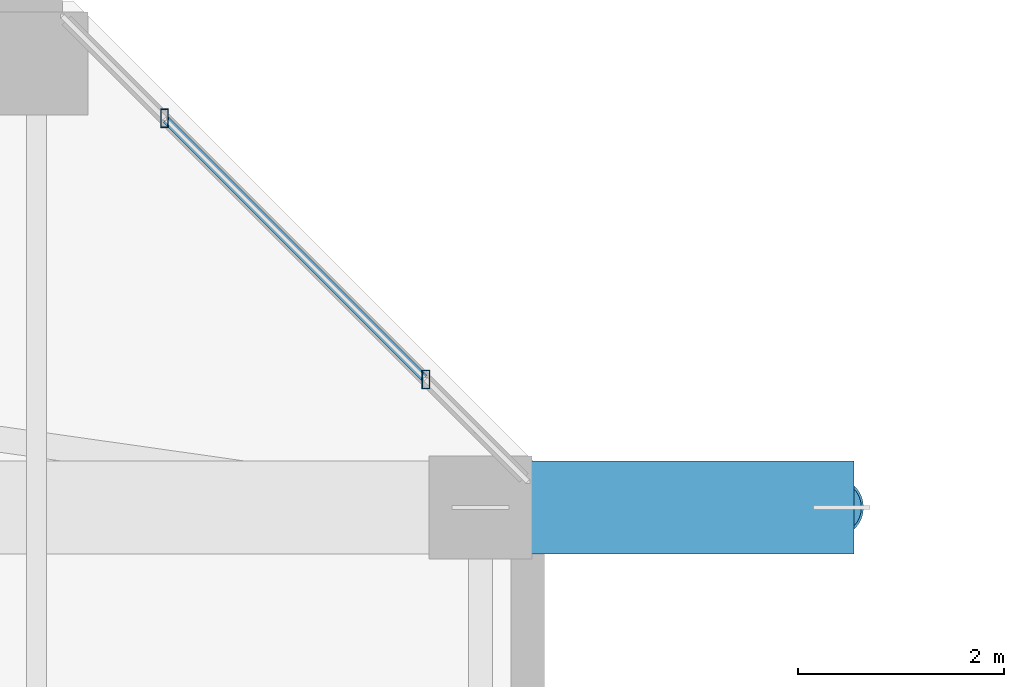
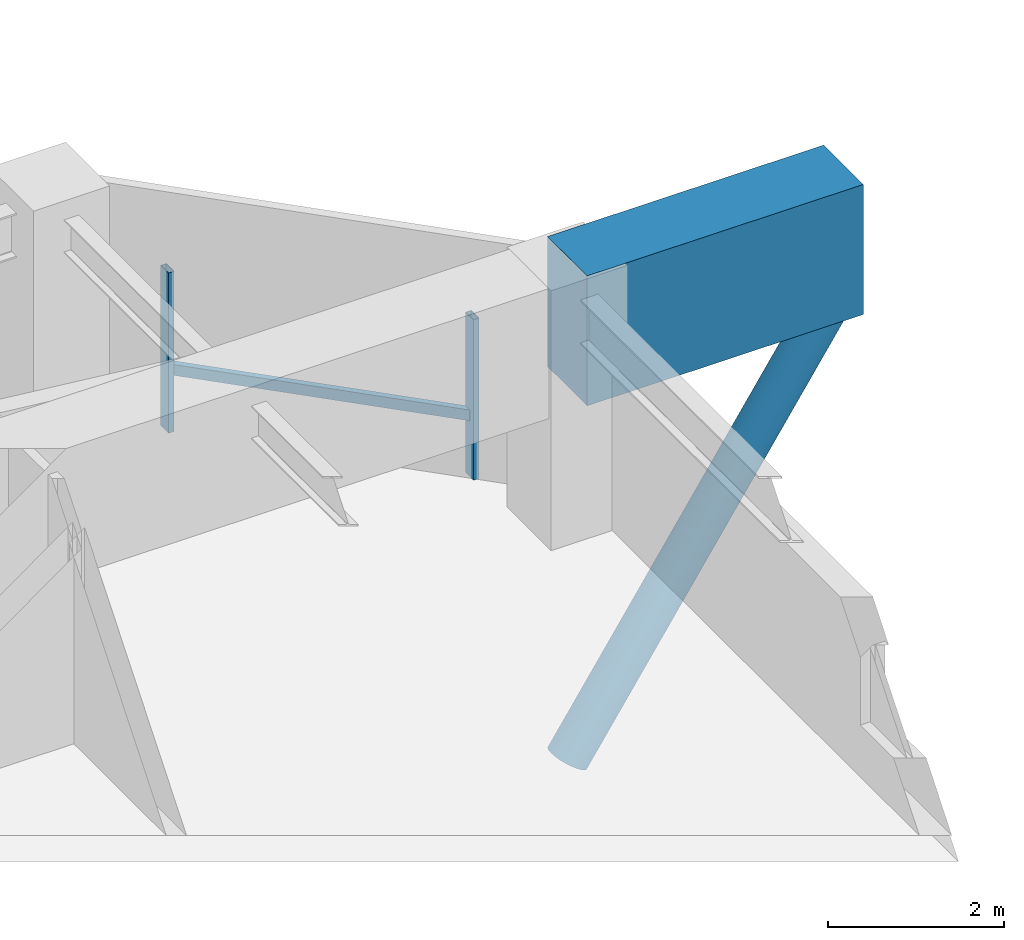
# One storey, part 9 of 34: 4 members, 1 beam, 1 element without a shape of its own.
"""IFC4 building model written with IfcOpenShell, lengths in metres."""

import ifcopenshell
import ifcopenshell.guid

model = None  # the IFC model being written
_history = None  # IfcOwnerHistory: only IFC2X3 demands one
_inside = {}  # id of a spatial element -> (the spatial element, [elements in it])
_under = {}  # id of a project, library or spatial element -> (it, [spatial elements below it])
_declared = {}  # id of a project -> (the project, [libraries it declares])
_typed = {}  # id of a type object -> (the type object, [elements of that type])
_made_of = {}  # id of a material, layer set ... -> (it, [elements and type objects made of it])


def new_model(schema):
    """Start an empty IFC model of exactly this schema.

    Asked for "IFC4X3", IfcOpenShell would pick the latest addendum, in which some entities
    have other attributes; the version numbers below select the first issue.
    IFC2X3 requires an IfcOwnerHistory on every rooted entity: one is made here for all.
    """
    global model, _history
    if schema == "IFC4X3":
        model = ifcopenshell.file(schema_version=(4, 3, 0, 0))
    else:
        model = ifcopenshell.file(schema=schema)
    _inside.clear()
    _under.clear()
    _declared.clear()
    _typed.clear()
    _made_of.clear()
    _history = None
    if model.schema == "IFC2X3":
        org = make("IfcOrganization", Name="unknown")
        user = make(
            "IfcPersonAndOrganization",
            ThePerson=make("IfcPerson", FamilyName="unknown"),
            TheOrganization=org,
        )
        app = make(
            "IfcApplication",
            ApplicationDeveloper=org,
            Version="unknown",
            ApplicationFullName="unknown",
            ApplicationIdentifier="unknown",
        )
        _history = make(
            "IfcOwnerHistory",
            OwningUser=user,
            OwningApplication=app,
            ChangeAction="ADDED",
            CreationDate=0,
        )
    return model


def make(cls, **values):
    """One entity of the class cls with the attributes given. An attribute that is None is left unset."""
    return model.create_entity(
        cls, **{name: value for name, value in values.items() if value is not None}
    )


def rooted(cls, **values):
    """An entity with a GlobalId (a new one), such as an element, a storey or a relation."""
    return make(cls, GlobalId=ifcopenshell.guid.new(), OwnerHistory=_history, **values)


def si_unit(unit_type, name, prefix=None):
    """IfcSIUnit, for example si_unit("LENGTHUNIT", "METRE", prefix="MILLI")."""
    return make("IfcSIUnit", UnitType=unit_type, Prefix=prefix, Name=name)


def assignment(units):
    """IfcUnitAssignment: the units of a project."""
    return None if units is None else make("IfcUnitAssignment", Units=units)


def point(xyz):
    """IfcCartesianPoint."""
    return None if xyz is None else make("IfcCartesianPoint", Coordinates=xyz)


def direction(xyz):
    """IfcDirection."""
    return None if xyz is None else make("IfcDirection", DirectionRatios=xyz)


def frame(location, z_axis=None, x_axis=None):
    """IfcAxis2Placement3D, a coordinate frame: its origin and axes. An axis left out is left unset."""
    return make(
        "IfcAxis2Placement3D",
        Location=point(location),
        Axis=direction(z_axis),
        RefDirection=direction(x_axis),
    )


def frame_2d(location, x_axis=None):
    """IfcAxis2Placement2D, a coordinate frame in the plane: its origin and x axis."""
    return make(
        "IfcAxis2Placement2D", Location=point(location), RefDirection=direction(x_axis)
    )


def origin():
    """The frame at (0, 0, 0) with its axes left unset."""
    return frame((0.0, 0.0, 0.0))


def origin_2d():
    """The frame at (0, 0) in the plane with its x axis left unset."""
    return frame_2d((0.0, 0.0))


def place(relative_to, where):
    """IfcLocalPlacement: puts the frame where relative to a parent placement (None: the world)."""
    return make(
        "IfcLocalPlacement", PlacementRelTo=relative_to, RelativePlacement=where
    )


def context(
    kind, dimensions, precision=None, world=None, true_north=None, identifier=None
):
    """IfcGeometricRepresentationContext, for example the 3D "Model" context."""
    return make(
        "IfcGeometricRepresentationContext",
        ContextIdentifier=identifier,
        ContextType=kind,
        CoordinateSpaceDimension=dimensions,
        Precision=precision,
        WorldCoordinateSystem=world,
        TrueNorth=true_north,
    )


def subcontext(parent, identifier, kind, view, scale=None):
    """IfcGeometricRepresentationSubContext, for example "Body" below "Model"."""
    return make(
        "IfcGeometricRepresentationSubContext",
        ContextIdentifier=identifier,
        ContextType=kind,
        ParentContext=parent,
        TargetScale=scale,
        TargetView=view,
    )


def project(units=None, contexts=None):
    """IfcProject with its units and contexts."""
    return rooted(
        "IfcProject",
        Name="project",
        RepresentationContexts=contexts,
        UnitsInContext=assignment(units),
    )


def spatial(cls, under=None, at=None, **own):
    """A site, building, storey or space (cls), placed at a placement, below another one or the project."""
    s = rooted(cls, ObjectPlacement=at, **own)
    if under is not None:
        _under.setdefault(under.id(), (under, []))[1].append(s)
    return s


def profile(cls, at=None, kind="AREA", **sizes):
    """A parametric profile (cls). Its sizes go by their IFC names, for example OverallWidth=200.0."""
    return make(cls, ProfileType=kind, Position=at, **sizes)


def rectangle(**sizes):
    """IfcRectangleProfileDef."""
    return profile("IfcRectangleProfileDef", **sizes)


def hollow_rectangle(**sizes):
    """IfcRectangleHollowProfileDef."""
    return profile("IfcRectangleHollowProfileDef", **sizes)


def hollow_circle(**sizes):
    """IfcCircleHollowProfileDef."""
    return profile("IfcCircleHollowProfileDef", **sizes)


def extrude(swept, where, along, depth):
    """IfcExtrudedAreaSolid: the profile swept, set in the frame where, extruded along a direction by depth."""
    return make(
        "IfcExtrudedAreaSolid",
        SweptArea=swept,
        Position=where,
        ExtrudedDirection=direction(along),
        Depth=depth,
    )


def shape(context_of_items, identifier, shape_type, items):
    """IfcShapeRepresentation: the items that make up one representation, for example the "Body"."""
    return make(
        "IfcShapeRepresentation",
        ContextOfItems=context_of_items,
        RepresentationIdentifier=identifier,
        RepresentationType=shape_type,
        Items=items,
    )


def material(Name=None, Category=None):
    """IfcMaterial."""
    return make("IfcMaterial", Name=Name, Category=Category)


def material_profile(
    of_material, cross_section, Name=None, Category=None, Priority=None
):
    """IfcMaterialProfile: a cross section and its material."""
    return make(
        "IfcMaterialProfile",
        Name=Name,
        Material=of_material,
        Profile=cross_section,
        Priority=Priority,
        Category=Category,
    )


def profile_set(profiles, Name=None, composite=None):
    """IfcMaterialProfileSet."""
    return make(
        "IfcMaterialProfileSet",
        Name=Name,
        MaterialProfiles=profiles,
        CompositeProfile=composite,
    )


def made_of(thing, what):
    """Note that an element or type object is made of a material, layer set ...; save() writes the relation."""
    if what is not None:
        _made_of.setdefault(what.id(), (what, []))[1].append(thing)
    return thing


def type_object(cls, material=None, **own):
    """A type object (cls), such as IfcWallType, which elements share."""
    return made_of(rooted(cls, **own), material)


def element(
    cls,
    number,
    at=None,
    inside=None,
    cuts=None,
    type_object=None,
    material=None,
    context=None,
    identifier="Body",
    shape_type=None,
    held_by="IfcProductDefinitionShape",
    body=None,
    shapes=None,
    **own,
):
    """One element of the class cls, such as IfcWall. Its Tag is "e" and its number.

    at: its placement. inside: the storey or other place that contains it. cuts: it is an
    opening in that element (IfcRelVoidsElement). A single representation is given by context,
    identifier, shape_type and body (its items); several are given by shapes. held_by: the class
    of the entity that holds the representations. save() writes the other relations.
    """
    e = rooted(cls, Tag="e%d" % number, ObjectPlacement=at, **own)
    if body is not None:
        shapes = [shape(context, identifier, shape_type, body)]
    if shapes is not None:
        e.Representation = make(held_by, Representations=shapes)
    if inside is not None:
        _inside.setdefault(inside.id(), (inside, []))[1].append(e)
    if cuts is not None:
        rooted(
            "IfcRelVoidsElement", RelatingBuildingElement=cuts, RelatedOpeningElement=e
        )
    if type_object is not None:
        _typed.setdefault(type_object.id(), (type_object, []))[1].append(e)
    return made_of(e, material)


def aggregate(whole, parts):
    """IfcRelAggregates: a whole, such as a stair, and the parts it consists of."""
    return rooted("IfcRelAggregates", RelatingObject=whole, RelatedObjects=parts)


def save(model, path):
    """Write the relations noted so far, then the file.

    IfcRelAggregates (storeys below a building ...), IfcRelContainedInSpatialStructure (elements
    in a storey), IfcRelDefinesByType, IfcRelAssociatesMaterial and IfcRelDeclares: one each for
    every whole, place, type object, material and project.
    """
    for whole, parts in _under.values():
        aggregate(whole, parts)
    for where, things in _inside.values():
        rooted(
            "IfcRelContainedInSpatialStructure",
            RelatedElements=things,
            RelatingStructure=where,
        )
    for kind, things in _typed.values():
        rooted("IfcRelDefinesByType", RelatedObjects=things, RelatingType=kind)
    for what, things in _made_of.values():
        rooted("IfcRelAssociatesMaterial", RelatedObjects=things, RelatingMaterial=what)
    for by, libraries in _declared.values():
        rooted("IfcRelDeclares", RelatingContext=by, RelatedDefinitions=libraries)
    model.write(path)


model = new_model("IFC4")

# Units and contexts
model_context = context("Model", 3, precision=1e-05, world=origin(), true_north=direction((0.0, 1.0)))
body_context = subcontext(model_context, "Body", "Model", "MODEL_VIEW")
ifc_project = project(units=[si_unit("LENGTHUNIT", "METRE"), si_unit("AREAUNIT", "SQUARE_METRE"), si_unit("VOLUMEUNIT", "CUBIC_METRE"), si_unit("PLANEANGLEUNIT", "RADIAN"), si_unit("MASSUNIT", "GRAM", prefix="KILO")], contexts=[model_context])

# Site, building, storey
site_placement = place(None, origin())
site = spatial("IfcSite", under=ifc_project, at=site_placement, CompositionType="ELEMENT")
building_placement = place(site_placement, origin())
building = spatial("IfcBuilding", under=site, at=building_placement, Name="Thornwick Lancets Civic Towers", CompositionType="ELEMENT")
storey_placement = place(building_placement, frame((0.0, 0.0, 251.10009765625)))
storey = spatial("IfcBuildingStorey", under=building, at=storey_placement, Name="L67", CompositionType="ELEMENT", Elevation=251.10009765625)

# Beam
ifc_material_1 = material(Name="Concrete C60/75", Category="concrete")
ifc_material_profile_1 = material_profile(ifc_material_1, rectangle(XDim=0.89990234375, YDim=1.800048828125, at=origin_2d()), Name="RC 900x1800")
ifc_profile_set_1 = profile_set([ifc_material_profile_1], Name="Concrete C60/75")
beam_type = type_object("IfcBeamType", Name="BM_TR_RC1800", PredefinedType="BEAM", material=ifc_profile_set_1)
beam_placement = place(storey_placement, frame((42.800048828125, 40.0, 2.699951171875), z_axis=(1.0, 0.0, 0.0), x_axis=(0.0, 1.0, 0.0)))
element("IfcBeam", 1, at=beam_placement, inside=storey, type_object=beam_type, Name="TG-CANT-L68-A06", PredefinedType="BEAM", context=body_context, shape_type="SweptSolid", body=[
    extrude(rectangle(XDim=0.89990234375, YDim=1.800048828125, at=origin_2d()), origin(), (0.0, 0.0, 1.0), 3.619873046875),
])

# Curtain wall, members
ifc_material_2 = material(Name="High-zone chamfered-corner unitised glass curtain wall", Category="glass")
curtain_wall_type = type_object("IfcCurtainWallType", Name="CW_SYS_05", PredefinedType="NOTDEFINED", material=ifc_material_2)
curtain_wall_placement = place(storey_placement, origin())
curtain_wall = element("IfcCurtainWall", 2, at=curtain_wall_placement, inside=storey, type_object=curtain_wall_type, Name="L67 Curtain Wall CW-L67-A-E3", PredefinedType="NOTDEFINED")
ifc_material_3 = material(Name="Thermally broken bronze aluminium S355", Category="steel")
ifc_material_profile_2 = material_profile(ifc_material_3, hollow_rectangle(XDim=0.074951171875, YDim=0.179931640625, WallThickness=0.006103515625, at=origin_2d()), Name="RHS 180x75x6")
ifc_profile_set_2 = profile_set([ifc_material_profile_2], Name="Thermally broken bronze aluminium S355")
member_type_1 = type_object("IfcMemberType", Name="CW_MUL_180", PredefinedType="MULLION", material=ifc_profile_set_2)
member_1_placement = place(storey_placement, frame((42.270751953125, 41.238525390625, 0.0), z_axis=(0.0, 0.0, 1.0), x_axis=(1.0, 0.0, 0.0)))
member_1 = element("IfcMember", 3, at=member_1_placement, type_object=member_type_1, Name="CW-L67-A-E3 Mullion 0", PredefinedType="MULLION", context=body_context, shape_type="SweptSolid", body=[
    extrude(hollow_rectangle(XDim=0.074951171875, YDim=0.179931640625, WallThickness=0.006103515625, at=origin_2d()), origin(), (0.0, 0.0, 1.0), 2.219970703125),
])
member_2_placement = place(storey_placement, frame((39.738525390625, 43.770751953125, 0.0), z_axis=(0.0, 0.0, 1.0), x_axis=(1.0, 0.0, 0.0)))
member_2 = element("IfcMember", 4, at=member_2_placement, type_object=member_type_1, Name="CW-L67-A-E3 Mullion 1", PredefinedType="MULLION", context=body_context, shape_type="SweptSolid", body=[
    extrude(hollow_rectangle(XDim=0.074951171875, YDim=0.179931640625, WallThickness=0.006103515625, at=origin_2d()), origin(), (0.0, 0.0, 1.0), 2.219970703125),
])
ifc_material_profile_3 = material_profile(ifc_material_3, hollow_rectangle(XDim=0.074951171875, YDim=0.14990234375, WallThickness=0.0048828125, at=origin_2d()), Name="RHS 150x75x5")
ifc_profile_set_3 = profile_set([ifc_material_profile_3], Name="Thermally broken bronze aluminium S355")
member_type_2 = type_object("IfcMemberType", Name="CW_TRN_150", PredefinedType="USERDEFINED", material=ifc_profile_set_3)
member_3_placement = place(storey_placement, frame((42.256591796875, 41.252685546875, 0.849853515625), z_axis=(-0.707106781187, 0.707106781187, 0.0), x_axis=(-0.707106781187, -0.707106781187, 0.0)))
member_3 = element("IfcMember", 5, at=member_3_placement, type_object=member_type_2, Name="CW-L67-A-E3 Transom 0", ObjectType="TRANSOM", PredefinedType="USERDEFINED", context=body_context, shape_type="SweptSolid", body=[
    extrude(hollow_rectangle(XDim=0.074951171875, YDim=0.14990234375, WallThickness=0.0048828125, at=origin_2d()), origin(), (0.0, 0.0, 1.0), 3.541015625),
])
aggregate(curtain_wall, [member_1, member_2, member_3])

# Member
ifc_material_4 = material(Name="Steel S460M", Category="steel")
ifc_material_profile_4 = material_profile(ifc_material_4, hollow_circle(Radius=0.25390625, WallThickness=0.02490234375, at=origin_2d()), Name="CHS 508x25")
ifc_profile_set_4 = profile_set([ifc_material_profile_4], Name="Steel S460M")
member_type_3 = type_object("IfcMemberType", Name="MEM_STRUT_CHS508", PredefinedType="STRUT", material=ifc_profile_set_4)
member_4_placement = place(storey_placement, frame((42.800048828125, 40.0, -3.35009765625), z_axis=(0.556167580628, 0.0, 0.831070166868), x_axis=(0.0, 1.0, 0.0)))
element("IfcMember", 6, at=member_4_placement, inside=storey, type_object=member_type_3, Name="L68 Jenga Transfer Raking Strut A06", PredefinedType="STRUT", context=body_context, shape_type="SweptSolid", body=[
    extrude(hollow_circle(Radius=0.25390625, WallThickness=0.02490234375, at=origin_2d()), origin(), (0.0, 0.0, 1.0), 6.29296875),
])

save(model, "model.ifc")
